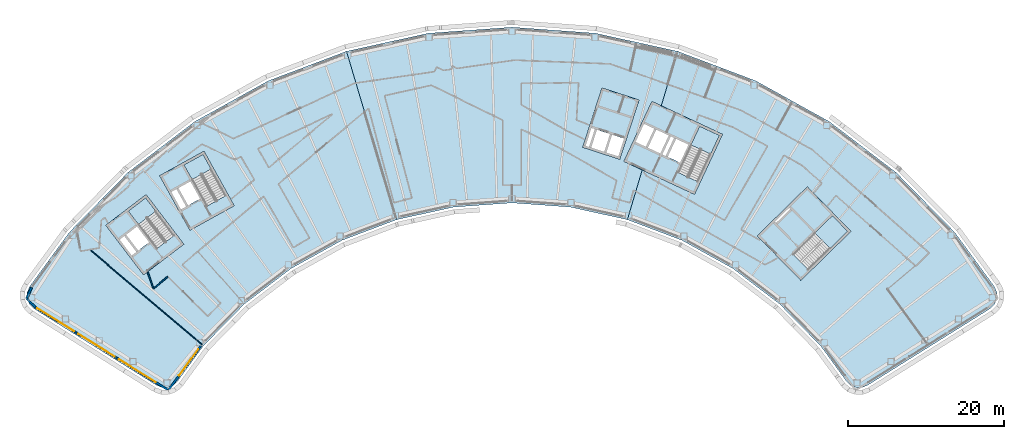
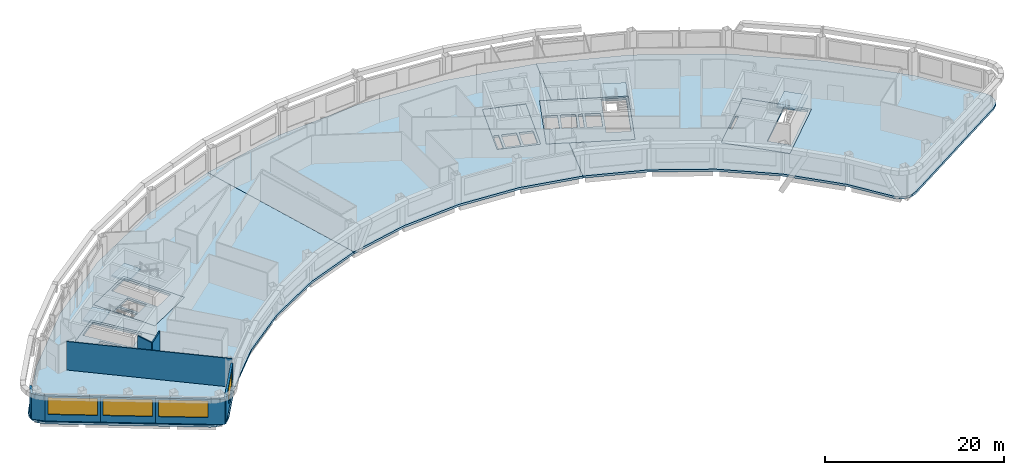
# One storey, part 4 of 13: 12 slabs, 9 walls, 4 windows, 4 openings, 4 elements without a shape of their own.
"""IFC4 building model written with IfcOpenShell, lengths in metres."""

from ifc_helpers import new_model, si_unit, direction, frame, frame_2d, origin, place, context, subcontext, project, spatial, polyline, rectangle, outline, extrude, material, layer, layer_set, type_object, element, fill, aggregate, save


model = new_model("IFC4")

# Units and contexts
model_context = context("Model", 3, precision=1e-05, world=origin(), true_north=direction((0.0, 1.0)))
body_context = subcontext(model_context, "Body", "Model", "MODEL_VIEW")
ifc_project = project(units=[si_unit("LENGTHUNIT", "METRE"), si_unit("AREAUNIT", "SQUARE_METRE"), si_unit("VOLUMEUNIT", "CUBIC_METRE"), si_unit("PLANEANGLEUNIT", "RADIAN"), si_unit("MASSUNIT", "GRAM", prefix="KILO")], contexts=[model_context])

# Site, building, storey
site_placement = place(None, origin())
site = spatial("IfcSite", under=ifc_project, at=site_placement, CompositionType="ELEMENT")
building_placement = place(site_placement, origin())
building = spatial("IfcBuilding", under=site, at=building_placement, Name="Tuul Gate Civic Tower", CompositionType="ELEMENT")
storey_placement = place(building_placement, frame((0.0, 0.0, 252.60009765625)))
storey = spatial("IfcBuildingStorey", under=building, at=storey_placement, Name="Level 57", CompositionType="ELEMENT", Elevation=252.60009765625)

# Slabs
ifc_material_1 = material(Name="Concrete C40/50", Category="concrete")
ifc_layer_1 = layer(ifc_material_1, 0.300048828125)
ifc_layer_set_1 = layer_set([ifc_layer_1], Name="Concrete C40/50")
slab_type_1 = type_object("IfcSlabType", Name="Core floor slab 300", PredefinedType="FLOOR", material=ifc_layer_set_1)
slab_1_placement = place(storey_placement, frame((0.0, 0.0, -0.300048828125)))
element("IfcSlab", 1, at=slab_1_placement, inside=storey, type_object=slab_type_1, Name="FLOOR SLAB", PredefinedType="FLOOR", context=body_context, shape_type="SweptSolid", body=[
    extrude(outline(polyline([(-31.10009765625, -13.7890625), (-35.946044921875, -7.423828125), (-41.11767578125, -11.361572265625), (-36.271484375, -17.726806640625), (-31.10009765625, -13.7890625)]), holes=[polyline([(-35.561767578125, -13.541259765625), (-37.1064453125, -11.512451171875), (-38.498779296875, -12.572509765625), (-36.9541015625, -14.6015625), (-35.561767578125, -13.541259765625)]), polyline([(-37.19287109375, -14.783203125), (-38.737548828125, -12.75439453125), (-39.45361328125, -13.299560546875), (-37.908935546875, -15.328369140625), (-37.19287109375, -14.783203125)]), polyline([(-32.33935546875, -12.65771484375), (-34.56591796875, -14.352783203125), (-38.229736328125, -9.54052734375), (-36.003173828125, -7.845458984375), (-32.33935546875, -12.65771484375)])]), origin(), (0.0, 0.0, 1.0), 0.300048828125),
])
slab_2_placement = place(storey_placement, frame((0.0, 0.0, -0.300048828125)))
element("IfcSlab", 2, at=slab_2_placement, inside=storey, type_object=slab_type_1, Name="FLOOR SLAB", PredefinedType="FLOOR", context=body_context, shape_type="SweptSolid", body=[
    extrude(outline(polyline([(-24.638916015625, -8.846923828125), (-28.51708984375, -1.849853515625), (-34.2021484375, -5.0009765625), (-30.32421875, -11.998046875), (-24.638916015625, -8.846923828125)]), holes=[polyline([(-29.0185546875, -7.958740234375), (-30.254638671875, -5.728515625), (-31.785400390625, -6.576904296875), (-30.54931640625, -8.80712890625), (-29.0185546875, -7.958740234375)]), polyline([(-30.8115234375, -8.95263671875), (-32.047607421875, -6.72216796875), (-32.8349609375, -7.158447265625), (-31.5986328125, -9.388916015625), (-30.8115234375, -8.95263671875)]), polyline([(-25.702392578125, -7.548828125), (-28.14990234375, -8.905517578125), (-31.08203125, -3.615234375), (-28.63427734375, -2.2587890625), (-25.702392578125, -7.548828125)])]), origin(), (0.0, 0.0, 1.0), 0.300048828125),
])
slab_3_placement = place(storey_placement, frame((0.0, 0.0, -0.300048828125)))
element("IfcSlab", 3, at=slab_3_placement, inside=storey, type_object=slab_type_1, Name="FLOOR SLAB", PredefinedType="FLOOR", context=body_context, shape_type="SweptSolid", body=[
    extrude(outline(polyline([(48.117919921875, -18.43310546875), (54.545166015625, -12.1328125), (48.945068359375, -6.419921875), (42.517822265625, -12.719970703125), (48.117919921875, -18.43310546875)]), holes=[polyline([(44.93896484375, -11.046875), (46.760009765625, -9.261962890625), (46.514892578125, -9.011962890625), (44.69384765625, -10.797119140625), (44.93896484375, -11.046875)]), polyline([(49.086181640625, -17.062744140625), (47.12744140625, -15.064208984375), (52.160888671875, -10.130126953125), (54.11962890625, -12.128662109375), (49.086181640625, -17.062744140625)])]), origin(), (0.0, 0.0, 1.0), 0.300048828125),
])
slab_4_placement = place(storey_placement, frame((0.0, 0.0, -0.300048828125)))
element("IfcSlab", 4, at=slab_4_placement, inside=storey, type_object=slab_type_1, Name="FLOOR SLAB", PredefinedType="FLOOR", context=body_context, shape_type="SweptSolid", body=[
    extrude(outline(polyline([(34.465087890625, -7.385986328125), (38.056884765625, 0.31787109375), (28.993896484375, 4.543701171875), (25.40185546875, -3.159912109375), (34.465087890625, -7.385986328125)]), holes=[polyline([(32.60888671875, -3.32080078125), (33.6865234375, -1.009765625), (32.1005859375, -0.27001953125), (31.02294921875, -2.581298828125), (32.60888671875, -3.32080078125)]), polyline([(30.0712890625, -2.137451171875), (31.14892578125, 0.173583984375), (29.562744140625, 0.9130859375), (28.4853515625, -1.39794921875), (30.0712890625, -2.137451171875)]), polyline([(30.751220703125, -2.454345703125), (31.82861328125, -0.143310546875), (31.4208984375, 0.046875), (30.34326171875, -2.264404296875), (30.751220703125, -2.454345703125)]), polyline([(28.21337890625, -1.27099609375), (29.291015625, 1.0400390625), (27.8408203125, 1.71630859375), (26.76318359375, -0.594970703125), (28.21337890625, -1.27099609375)]), polyline([(34.889892578125, -5.7626953125), (32.353759765625, -4.580078125), (35.120849609375, 1.354736328125), (37.6572265625, 0.17236328125), (34.889892578125, -5.7626953125)])]), origin(), (0.0, 0.0, 1.0), 0.300048828125),
])
ifc_material_2 = material(Name="Concrete C40/50", Category="concrete")
ifc_layer_2 = layer(ifc_material_2, 0.300048828125)
ifc_layer_set_2 = layer_set([ifc_layer_2], Name="Concrete C40/50")
slab_type_2 = type_object("IfcSlabType", Name="Core floor slab 300 non-bearing", PredefinedType="FLOOR", material=ifc_layer_set_2)
slab_5_placement = place(storey_placement, frame((0.0, 0.0, -0.300048828125)))
element("IfcSlab", 5, at=slab_5_placement, inside=storey, type_object=slab_type_2, Name="FLOOR SLAB", PredefinedType="FLOOR", context=body_context, shape_type="SweptSolid", body=[
    extrude(outline(polyline([(24.864990234375, -2.888916015625), (27.337890625, 4.71923828125), (22.58251953125, 6.264404296875), (20.109619140625, -1.343994140625), (24.864990234375, -2.888916015625)]), holes=[polyline([(24.67236328125, -2.510986328125), (25.414306640625, -0.228515625), (23.892578125, 0.265869140625), (23.150634765625, -2.0166015625), (24.67236328125, -2.510986328125)]), polyline([(22.865478515625, -1.923828125), (23.607177734375, 0.358642578125), (21.94287109375, 0.8994140625), (21.201171875, -1.383056640625), (22.865478515625, -1.923828125)]), polyline([(20.869384765625, -1.43310546875), (21.65771484375, 0.9921875), (21.0869140625, 1.177490234375), (20.298583984375, -1.24755859375), (20.869384765625, -1.43310546875)])]), origin(), (0.0, 0.0, 1.0), 0.300048828125),
])

# Stair, slab
ifc_material_3 = material(Name="Concrete C40/50", Category="concrete")
stair_type = type_object("IfcStairType", Name="Exit stair", PredefinedType="HALF_TURN_STAIR", material=ifc_material_3)
stair_1_placement = place(storey_placement, origin())
stair_1 = element("IfcStair", 6, at=stair_1_placement, inside=storey, type_object=stair_type, Name="Level 57 ST-1", PredefinedType="HALF_TURN_STAIR")
ifc_material_4 = material(Name="Concrete C40/50", Category="concrete")
ifc_layer_3 = layer(ifc_material_4, 0.199951171875)
ifc_layer_set_3 = layer_set([ifc_layer_3], Name="Concrete C40/50")
slab_type_3 = type_object("IfcSlabType", Name="Exit stair landing", PredefinedType="LANDING", material=ifc_layer_set_3)
slab_6_placement = place(storey_placement, frame((0.0, 0.0, 1.89990234375)))
slab_6 = element("IfcSlab", 7, at=slab_6_placement, type_object=slab_type_3, Name="ST-1 landing 1", PredefinedType="LANDING", context=body_context, shape_type="SweptSolid", body=[
    extrude(outline(polyline([(-34.699462890625, -9.554931640625), (-36.9287109375, -11.252197265625), (-38.23193359375, -9.540283203125), (-36.0029296875, -7.843017578125), (-34.699462890625, -9.554931640625)])), origin(), (0.0, 0.0, 1.0), 0.199951171875),
])
aggregate(stair_1, [slab_6])

stair_2_placement = place(storey_placement, origin())
stair_2 = element("IfcStair", 8, at=stair_2_placement, inside=storey, type_object=stair_type, Name="Level 57 ST-2", PredefinedType="HALF_TURN_STAIR")
slab_7_placement = place(storey_placement, frame((0.0, 0.0, 1.89990234375)))
slab_7 = element("IfcSlab", 9, at=slab_7_placement, type_object=slab_type_3, Name="ST-2 landing 1", PredefinedType="LANDING", context=body_context, shape_type="SweptSolid", body=[
    extrude(outline(polyline([(-27.5908203125, -4.138427734375), (-30.041015625, -5.49658203125), (-31.084228515625, -3.61474609375), (-28.6337890625, -2.256591796875), (-27.5908203125, -4.138427734375)])), origin(), (0.0, 0.0, 1.0), 0.199951171875),
])
aggregate(stair_2, [slab_7])

stair_3_placement = place(storey_placement, origin())
stair_3 = element("IfcStair", 10, at=stair_3_placement, inside=storey, type_object=stair_type, Name="Level 57 ST-3", PredefinedType="HALF_TURN_STAIR")
slab_8_placement = place(storey_placement, frame((0.0, 0.0, 1.89990234375)))
slab_8 = element("IfcSlab", 11, at=slab_8_placement, type_object=slab_type_3, Name="ST-3 landing 1", PredefinedType="LANDING", context=body_context, shape_type="SweptSolid", body=[
    extrude(outline(polyline([(51.871337890625, -14.3349609375), (49.91015625, -12.334228515625), (52.160888671875, -10.1279296875), (54.1220703125, -12.128662109375), (51.871337890625, -14.3349609375)])), origin(), (0.0, 0.0, 1.0), 0.199951171875),
])
aggregate(stair_3, [slab_8])

stair_4_placement = place(storey_placement, origin())
stair_4 = element("IfcStair", 12, at=stair_4_placement, inside=storey, type_object=stair_type, Name="Level 57 ST-4", PredefinedType="HALF_TURN_STAIR")
slab_9_placement = place(storey_placement, frame((0.0, 0.0, 1.89990234375)))
slab_9 = element("IfcSlab", 13, at=slab_9_placement, type_object=slab_type_3, Name="ST-4 landing 1", PredefinedType="LANDING", context=body_context, shape_type="SweptSolid", body=[
    extrude(outline(polyline([(36.538818359375, -2.230224609375), (33.999755859375, -1.046142578125), (35.1201171875, 1.35693359375), (37.659423828125, 0.173095703125), (36.538818359375, -2.230224609375)])), origin(), (0.0, 0.0, 1.0), 0.199951171875),
])
aggregate(stair_4, [slab_9])

# Slabs
ifc_material_5 = material(Name="Concrete C35/45", Category="concrete")
ifc_layer_4 = layer(ifc_material_5, 0.300048828125)
ifc_layer_set_4 = layer_set([ifc_layer_4], Name="Concrete C35/45")
slab_type_4 = type_object("IfcSlabType", Name="STR-FLOOR-SLAB-300", PredefinedType="FLOOR", material=ifc_layer_set_4)
slab_10_placement = place(storey_placement, frame((0.0, 0.0, -0.300048828125)))
element("IfcSlab", 14, at=slab_10_placement, inside=storey, type_object=slab_type_4, Name="Level 57/slab/W", PredefinedType="FLOOR", context=body_context, shape_type="SweptSolid", body=[
    extrude(outline(polyline([(-10.802978515625, -13.294921875), (-3.782958984375, -10.64111328125), (-10.217041015625, 10.98095703125), (-20.285888671875, 7.174072265625), (-29.699951171875, 1.955078125), (-38.264892578125, -4.56591796875), (-45.800048828125, -12.2529296875), (-50.881103515625, -19.208984375), (-51.217041015625, -19.951904296875), (-51.22900390625, -20.76806640625), (-50.9140625, -21.52001953125), (-50.324951171875, -22.0849609375), (-34.594970703125, -31.9140625), (-33.90087890625, -32.18408203125), (-33.156005859375, -32.181884765625), (-32.464111328125, -31.906982421875), (-31.919921875, -31.39697265625), (-28.591064453125, -26.839111328125), (-23.337890625, -21.47998046875), (-17.366943359375, -16.93408203125), (-10.802978515625, -13.294921875)]), holes=[polyline([(-31.10009765625, -13.7890625), (-36.27197265625, -17.72705078125), (-41.117919921875, -11.362060546875), (-35.946044921875, -7.424072265625), (-31.10009765625, -13.7890625)]), polyline([(-24.638916015625, -8.846923828125), (-30.323974609375, -11.998046875), (-34.201904296875, -5.0009765625), (-28.51708984375, -1.85009765625), (-24.638916015625, -8.846923828125)])]), origin(), (0.0, 0.0, 1.0), 0.300048828125),
])
slab_11_placement = place(storey_placement, frame((0.0, 0.0, -0.300048828125)))
element("IfcSlab", 15, at=slab_11_placement, inside=storey, type_object=slab_type_4, Name="Level 57/slab/M", PredefinedType="FLOOR", context=body_context, shape_type="SweptSolid", body=[
    extrude(outline(polyline([(18.51611328125, -9.02490234375), (25.844970703125, -10.64111328125), (27.74609375, -4.2529296875), (25.402099609375, -3.159912109375), (28.993896484375, 4.5439453125), (30.197021484375, 3.98291015625), (32.279052734375, 10.98095703125), (21.76708984375, 13.298095703125), (11.031005859375, 14.075927734375), (0.294921875, 13.298095703125), (-10.217041015625, 10.98095703125), (-3.782958984375, -10.64111328125), (3.5458984375, -9.02490234375), (11.031005859375, -8.48291015625), (18.51611328125, -9.02490234375)]), holes=[polyline([(20.110107421875, -1.343994140625), (22.58203125, 6.264892578125), (27.337890625, 4.719970703125), (24.864990234375, -2.888916015625), (20.110107421875, -1.343994140625)])]), origin(), (0.0, 0.0, 1.0), 0.300048828125),
])
slab_12_placement = place(storey_placement, frame((0.0, 0.0, -0.300048828125)))
element("IfcSlab", 16, at=slab_12_placement, inside=storey, type_object=slab_type_4, Name="Level 57/slab/E", PredefinedType="FLOOR", context=body_context, shape_type="SweptSolid", body=[
    extrude(outline(polyline([(55.962890625, -32.18408203125), (56.656982421875, -31.9140625), (72.386962890625, -22.0849609375), (72.97607421875, -21.52001953125), (73.291015625, -20.76806640625), (73.279052734375, -19.951904296875), (72.94189453125, -19.208984375), (67.862060546875, -12.2529296875), (60.325927734375, -4.56591796875), (51.761962890625, 1.955078125), (42.347900390625, 7.174072265625), (32.279052734375, 10.98095703125), (30.197021484375, 3.98291015625), (38.056884765625, 0.318115234375), (34.465087890625, -7.385986328125), (27.74609375, -4.2529296875), (25.844970703125, -10.64111328125), (32.864990234375, -13.294921875), (39.428955078125, -16.93408203125), (45.39990234375, -21.47998046875), (50.653076171875, -26.839111328125), (53.98193359375, -31.39697265625), (54.52587890625, -31.906982421875), (55.218017578125, -32.181884765625), (55.962890625, -32.18408203125)]), holes=[polyline([(48.117919921875, -18.43310546875), (42.51806640625, -12.719970703125), (48.945068359375, -6.419921875), (54.544921875, -12.133056640625), (48.117919921875, -18.43310546875)])]), origin(), (0.0, 0.0, 1.0), 0.300048828125),
])

# Walls
ifc_material_6 = material(Name="Gypsum board partition")
ifc_layer_5 = layer(ifc_material_6, 0.14990234375)
ifc_layer_set_5 = layer_set([ifc_layer_5], Name="Gypsum board partition")
wall_type_1 = type_object("IfcWallType", Name="Corridor wall P150", PredefinedType="PARTITIONING", material=ifc_layer_set_5)
wall_1_placement = place(storey_placement, frame((-35.001708984375, -19.499755859375, 0.0), z_axis=(0.0, 0.0, 1.0), x_axis=(0.766360951532, 0.642410220939, 0.0)))
element("IfcWall", 17, at=wall_1_placement, inside=storey, type_object=wall_type_1, Name="p059", PredefinedType="PARTITIONING", context=body_context, shape_type="SweptSolid", body=[
    extrude(rectangle(XDim=2.403076171875, YDim=0.14990234375, at=frame_2d((1.20166015625, 0.0))), origin(), (0.0, 0.0, 1.0), 3.89990234375),
])
wall_2_placement = place(storey_placement, frame((-35.696044921875, -17.4775390625, 0.0), z_axis=(0.0, 0.0, 1.0), x_axis=(0.324540359242, -0.94587184926, 0.0)))
element("IfcWall", 18, at=wall_2_placement, inside=storey, type_object=wall_type_1, Name="p076", PredefinedType="PARTITIONING", context=body_context, shape_type="SweptSolid", body=[
    extrude(rectangle(XDim=2.137939453125, YDim=0.14990234375, at=frame_2d((1.06884765625, 0.0))), origin(), (0.0, 0.0, 1.0), 3.89990234375),
])
ifc_material_7 = material(Name="Precast concrete C40/50", Category="concrete")
ifc_layer_6 = layer(ifc_material_7, 0.25)
ifc_layer_set_6 = layer_set([ifc_layer_6], Name="Precast concrete C40/50")
wall_type_2 = type_object("IfcWallType", Name="External wall", PredefinedType="STANDARD", material=ifc_layer_set_6)
wall_3_placement = place(storey_placement, frame((-50.645263671875, -19.3486328125, 0.0), z_axis=(0.0, 0.0, 1.0), x_axis=(-0.412995937313, -0.9107328674, 0.0)))
element("IfcWall", 19, at=wall_3_placement, inside=storey, type_object=wall_type_2, Name="External wall", PredefinedType="STANDARD", context=body_context, shape_type="SweptSolid", body=[
    extrude(rectangle(XDim=1.572998046875, YDim=0.25, at=frame_2d((0.78662109375, 0.0))), origin(), (0.0, 0.0, 1.0), 3.449951171875),
])
wall_4_placement = place(storey_placement, frame((-51.294921875, -20.78125, 0.0), z_axis=(0.0, 0.0, 1.0), x_axis=(0.722783622894, -0.69107440589, 0.0)))
element("IfcWall", 20, at=wall_4_placement, inside=storey, type_object=wall_type_2, Name="External wall", PredefinedType="STANDARD", context=body_context, shape_type="SweptSolid", body=[
    extrude(rectangle(XDim=1.570556640625, YDim=0.25, at=frame_2d((0.78515625, 0.0))), origin(), (0.0, 0.0, 1.0), 3.449951171875),
])

# Wall, opening, window
wall_5_placement = place(storey_placement, frame((-50.1796875, -21.85107421875, 0.0), z_axis=(0.0, 0.0, 1.0), x_axis=(0.848024923451, -0.529956346509, 0.0)))
wall_5 = element("IfcWall", 21, at=wall_5_placement, inside=storey, type_object=wall_type_2, Name="External wall", PredefinedType="STANDARD", context=body_context, shape_type="SweptSolid", body=[
    extrude(rectangle(XDim=6.182861328125, YDim=0.25, at=frame_2d((3.09130859375, 0.0))), origin(), (0.0, 0.0, 1.0), 3.449951171875),
])
opening_1_placement = place(wall_5_placement, frame((0.31640625, 0.0, 0.89990234375)))
opening_1 = element("IfcOpeningElement", 22, at=opening_1_placement, cuts=wall_5, Name="Opening W24", PredefinedType="OPENING", context=body_context, shape_type="SweptSolid", body=[
    extrude(rectangle(XDim=5.550048828125, YDim=2.300048828125, at=frame_2d((2.77490234375, 1.14990234375))), frame((0.0, 0.135009765625, 0.0), z_axis=(0.0, -1.0, 0.0), x_axis=(1.0, 0.0, 0.0)), (0.0, 0.0, 1.0), 0.27001953125),
])
ifc_material_8 = material(Name="Glass", Category="glass")
window_type_1 = type_object("IfcWindowType", Name="Window W24 5550 x 2300", PartitioningType="SINGLE_PANEL", PredefinedType="WINDOW", material=ifc_material_8)
window_1_placement = place(opening_1_placement, origin())
window_1 = element("IfcWindow", 23, at=window_1_placement, inside=storey, type_object=window_type_1, Name="Window", OverallHeight=2.300048828125, OverallWidth=5.550048828125, PartitioningType="SINGLE_PANEL", PredefinedType="WINDOW", context=body_context, shape_type="SweptSolid", body=[
    extrude(rectangle(XDim=5.550048828125, YDim=2.300048828125, at=frame_2d((2.77490234375, 1.14990234375))), frame((0.0, 0.030029296875, 0.0), z_axis=(0.0, -1.0, 0.0), x_axis=(1.0, 0.0, 0.0)), (0.0, 0.0, 1.0), 0.06005859375),
])
fill(opening_1, window_1)

wall_6_placement = place(storey_placement, frame((-44.9365234375, -25.127685546875, 0.0), z_axis=(0.0, 0.0, 1.0), x_axis=(0.848036012993, -0.529938600846, 0.0)))
wall_6 = element("IfcWall", 24, at=wall_6_placement, inside=storey, type_object=wall_type_2, Name="External wall", PredefinedType="STANDARD", context=body_context, shape_type="SweptSolid", body=[
    extrude(rectangle(XDim=6.18310546875, YDim=0.25, at=frame_2d((3.091552734375, 0.0))), origin(), (0.0, 0.0, 1.0), 3.449951171875),
])
opening_2_placement = place(wall_6_placement, frame((0.31640625, 0.0, 0.89990234375)))
opening_2 = element("IfcOpeningElement", 25, at=opening_2_placement, cuts=wall_6, Name="Opening W24", PredefinedType="OPENING", context=body_context, shape_type="SweptSolid", body=[
    extrude(rectangle(XDim=5.550048828125, YDim=2.300048828125, at=frame_2d((2.77490234375, 1.14990234375))), frame((0.0, 0.135009765625, 0.0), z_axis=(0.0, -1.0, 0.0), x_axis=(1.0, 0.0, 0.0)), (0.0, 0.0, 1.0), 0.27001953125),
])
window_2_placement = place(opening_2_placement, origin())
window_2 = element("IfcWindow", 26, at=window_2_placement, inside=storey, type_object=window_type_1, Name="Window", OverallHeight=2.300048828125, OverallWidth=5.550048828125, PartitioningType="SINGLE_PANEL", PredefinedType="WINDOW", context=body_context, shape_type="SweptSolid", body=[
    extrude(rectangle(XDim=5.550048828125, YDim=2.300048828125, at=frame_2d((2.77490234375, 1.14990234375))), frame((0.0, 0.030029296875, 0.0), z_axis=(0.0, -1.0, 0.0), x_axis=(1.0, 0.0, 0.0)), (0.0, 0.0, 1.0), 0.06005859375),
])
fill(opening_2, window_2)

wall_7_placement = place(storey_placement, frame((-39.693115234375, -28.404296875, 0.0), z_axis=(0.0, 0.0, 1.0), x_axis=(0.848019436648, -0.529965126274, 0.0)))
wall_7 = element("IfcWall", 27, at=wall_7_placement, inside=storey, type_object=wall_type_2, Name="External wall", PredefinedType="STANDARD", context=body_context, shape_type="SweptSolid", body=[
    extrude(rectangle(XDim=7.7880859375, YDim=0.25, at=frame_2d((3.89404296875, 0.0))), origin(), (0.0, 0.0, 1.0), 3.449951171875),
])
opening_3_placement = place(wall_7_placement, frame((0.31640625, 0.0, 0.89990234375)))
opening_3 = element("IfcOpeningElement", 28, at=opening_3_placement, cuts=wall_7, Name="Opening W24", PredefinedType="OPENING", context=body_context, shape_type="SweptSolid", body=[
    extrude(rectangle(XDim=5.550048828125, YDim=2.300048828125, at=frame_2d((2.77490234375, 1.14990234375))), frame((0.0, 0.135009765625, 0.0), z_axis=(0.0, -1.0, 0.0), x_axis=(1.0, 0.0, 0.0)), (0.0, 0.0, 1.0), 0.27001953125),
])
window_3_placement = place(opening_3_placement, origin())
window_3 = element("IfcWindow", 29, at=window_3_placement, inside=storey, type_object=window_type_1, Name="Window", OverallHeight=2.300048828125, OverallWidth=5.550048828125, PartitioningType="SINGLE_PANEL", PredefinedType="WINDOW", context=body_context, shape_type="SweptSolid", body=[
    extrude(rectangle(XDim=5.550048828125, YDim=2.300048828125, at=frame_2d((2.77490234375, 1.14990234375))), frame((0.0, 0.030029296875, 0.0), z_axis=(0.0, -1.0, 0.0), x_axis=(1.0, 0.0, 0.0)), (0.0, 0.0, 1.0), 0.06005859375),
])
fill(opening_3, window_3)

wall_8_placement = place(storey_placement, frame((-33.088623046875, -32.53173828125, 0.0), z_axis=(0.0, 0.0, 1.0), x_axis=(0.589734649771, 0.807597079526, 0.0)))
wall_8 = element("IfcWall", 30, at=wall_8_placement, inside=storey, type_object=wall_type_2, Name="External wall", PredefinedType="STANDARD", context=body_context, shape_type="SweptSolid", body=[
    extrude(rectangle(XDim=7.03515625, YDim=0.25, at=frame_2d((3.517578125, 0.0))), origin(), (0.0, 0.0, 1.0), 3.449951171875),
])
opening_4_placement = place(wall_8_placement, frame((2.357666015625, 0.0, 0.89990234375)))
opening_4 = element("IfcOpeningElement", 31, at=opening_4_placement, cuts=wall_8, Name="Opening W25", PredefinedType="OPENING", context=body_context, shape_type="SweptSolid", body=[
    extrude(rectangle(XDim=4.14990234375, YDim=2.300048828125, at=frame_2d((2.074951171875, 1.14990234375))), frame((0.0, 0.135009765625, 0.0), z_axis=(0.0, -1.0, 0.0), x_axis=(1.0, 0.0, 0.0)), (0.0, 0.0, 1.0), 0.27001953125),
])
ifc_material_9 = material(Name="Glass", Category="glass")
window_type_2 = type_object("IfcWindowType", Name="Window W25 4150 x 2300", PartitioningType="SINGLE_PANEL", PredefinedType="WINDOW", material=ifc_material_9)
window_4_placement = place(opening_4_placement, origin())
window_4 = element("IfcWindow", 32, at=window_4_placement, inside=storey, type_object=window_type_2, Name="Window", OverallHeight=2.300048828125, OverallWidth=4.14990234375, PartitioningType="SINGLE_PANEL", PredefinedType="WINDOW", context=body_context, shape_type="SweptSolid", body=[
    extrude(rectangle(XDim=4.14990234375, YDim=2.300048828125, at=frame_2d((2.074951171875, 1.14990234375))), frame((0.0, 0.030029296875, 0.0), z_axis=(0.0, -1.0, 0.0), x_axis=(1.0, 0.0, 0.0)), (0.0, 0.0, 1.0), 0.06005859375),
])
fill(opening_4, window_4)

# Wall
ifc_material_10 = material(Name="Gypsum board partition")
ifc_layer_7 = layer(ifc_material_10, 0.10009765625)
ifc_layer_set_7 = layer_set([ifc_layer_7], Name="Gypsum board partition")
wall_type_3 = type_object("IfcWallType", Name="Partition P100", PredefinedType="PARTITIONING", material=ifc_layer_set_7)
wall_9_placement = place(storey_placement, frame((-43.16748046875, -14.48388671875, 0.0), z_axis=(0.0, 0.0, 1.0), x_axis=(0.762823112028, -0.646607222165, 0.0)))
element("IfcWall", 33, at=wall_9_placement, inside=storey, type_object=wall_type_3, Name="p038", PredefinedType="PARTITIONING", context=body_context, shape_type="SweptSolid", body=[
    extrude(rectangle(XDim=18.83740234375, YDim=0.10009765625, at=frame_2d((9.418701171875, 0.0))), origin(), (0.0, 0.0, 1.0), 3.89990234375),
])

save(model, "model.ifc")
